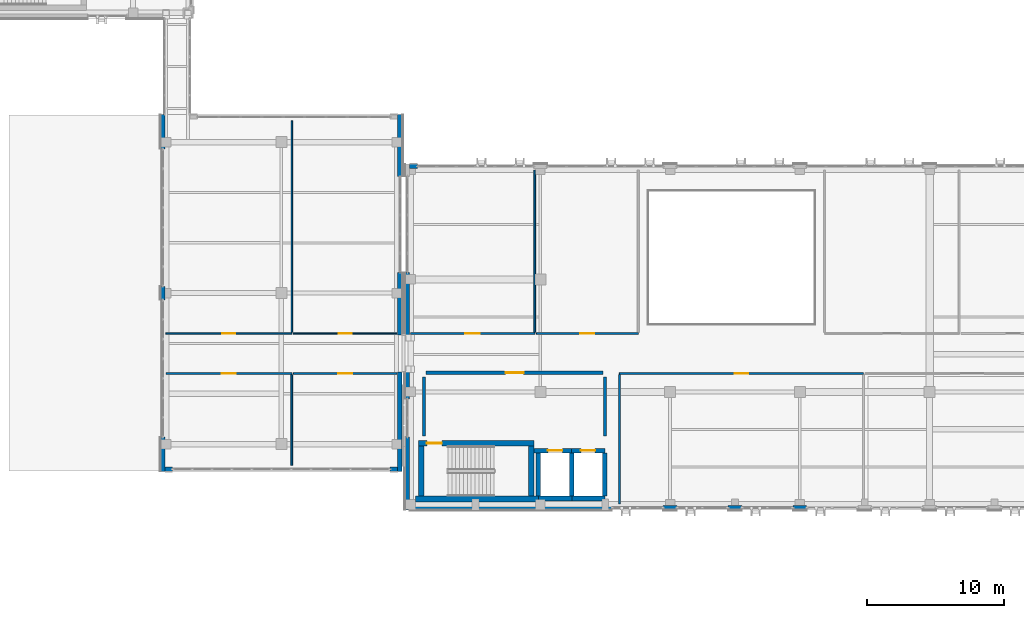
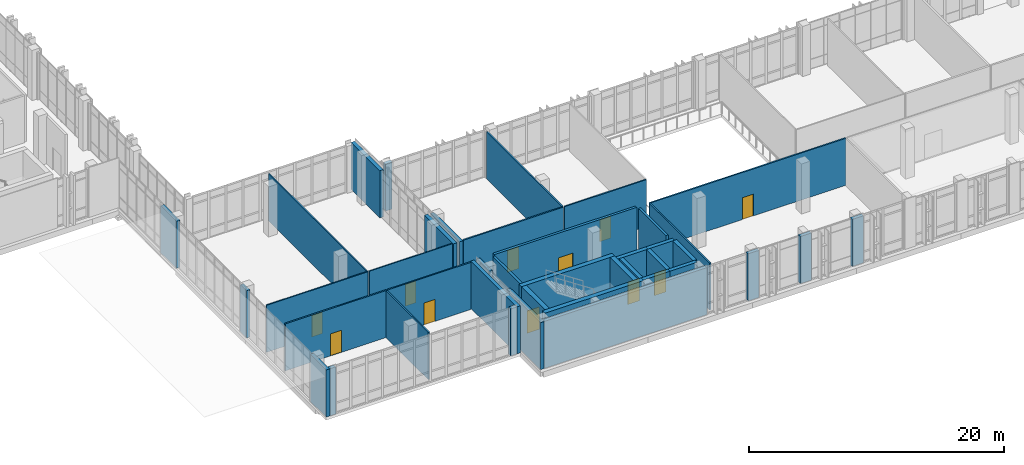
# One storey, part 151 of 189: 41 walls, 11 doors, 11 openings.
"""IFC4 building model written with IfcOpenShell, lengths in metres."""

from ifc_helpers import new_model, si_unit, direction, frame, frame_2d, origin, place, context, subcontext, project, spatial, rectangle, extrude, material, layer, layer_set, type_object, element, fill, save


model = new_model("IFC4")

# Units and contexts
model_context = context("Model", 3, precision=1e-05, world=origin(), true_north=direction((0.0, 1.0)))
body_context = subcontext(model_context, "Body", "Model", "MODEL_VIEW")
ifc_project = project(units=[si_unit("LENGTHUNIT", "METRE"), si_unit("AREAUNIT", "SQUARE_METRE"), si_unit("VOLUMEUNIT", "CUBIC_METRE"), si_unit("PLANEANGLEUNIT", "RADIAN"), si_unit("MASSUNIT", "GRAM", prefix="KILO")], contexts=[model_context])

# Site, building, storey
site_placement = place(None, origin())
site = spatial("IfcSite", under=ifc_project, at=site_placement, CompositionType="ELEMENT")
building_placement = place(site_placement, origin())
building = spatial("IfcBuilding", under=site, at=building_placement, Name="Qalavern Law Courts", CompositionType="ELEMENT")
storey_placement = place(building_placement, frame((0.0, 0.0, 5.39990234375)))
storey = spatial("IfcBuildingStorey", under=building, at=storey_placement, Name="L01", CompositionType="ELEMENT", Elevation=5.39990234375)

# Walls
ifc_material_1 = material(Name="Concrete C40/50", Category="concrete")
ifc_layer_1 = layer(ifc_material_1, 0.324951171875)
ifc_layer_set_1 = layer_set([ifc_layer_1], Name="Concrete C40/50")
wall_type_1 = type_object("IfcWallType", Name="ENV-EW-325", PredefinedType="SOLIDWALL", material=ifc_layer_set_1)
for number, where, z_axis, x_axis, name in (
    (1, (16.719970703125, 8.16259765625, 0.0), (0.0, 0.0, 1.0), (1.0, 0.0, 0.0), "V1 exterior pier wall L01 south 1"),
    (2, (33.1298828125, 8.16259765625, 0.0), (0.0, 0.0, 1.0), (1.0, 0.0, 0.0), "V1 exterior pier wall L01 south 2"),
):
    element("IfcWall", number, at=place(storey_placement, frame(where, z_axis=z_axis, x_axis=x_axis)), inside=storey, type_object=wall_type_1, Name=name, PredefinedType="SOLIDWALL", context=body_context, shape_type="SweptSolid", body=[
        extrude(rectangle(XDim=0.550048828125, YDim=0.324951171875, at=frame_2d((0.27490234375, 0.0))), origin(), (0.0, 0.0, 1.0), 4.510009765625),
    ])
wall_1_placement = place(storey_placement, frame((33.83740234375, 8.0, 0.0), z_axis=(0.0, 0.0, 1.0), x_axis=(0.0, 1.0, 0.0)))
element("IfcWall", 3, at=wall_1_placement, inside=storey, type_object=wall_type_1, Name="V1 exterior wall L01 east 1", PredefinedType="SOLIDWALL", context=body_context, shape_type="SweptSolid", body=[
    extrude(rectangle(XDim=7.25, YDim=0.324951171875, at=frame_2d((3.625, 0.0))), origin(), (0.0, 0.0, 1.0), 4.510009765625),
])
wall_2_placement = place(storey_placement, frame((33.83740234375, 17.949951171875, 0.0), z_axis=(0.0, 0.0, 1.0), x_axis=(0.0, 1.0, 0.0)))
element("IfcWall", 4, at=wall_2_placement, inside=storey, type_object=wall_type_1, Name="V1 exterior pier wall L01 east 1", PredefinedType="SOLIDWALL", context=body_context, shape_type="SweptSolid", body=[
    extrude(rectangle(XDim=4.550048828125, YDim=0.324951171875, at=frame_2d((2.27490234375, 0.0))), origin(), (0.0, 0.0, 1.0), 4.510009765625),
])
wall_3_placement = place(storey_placement, frame((33.83740234375, 29.5, 0.0), z_axis=(0.0, 0.0, 1.0), x_axis=(0.0, 1.0, 0.0)))
element("IfcWall", 5, at=wall_3_placement, inside=storey, type_object=wall_type_1, Name="V1 exterior pier wall L01 east 2", PredefinedType="SOLIDWALL", context=body_context, shape_type="SweptSolid", body=[
    extrude(rectangle(XDim=4.5, YDim=0.324951171875, at=frame_2d((2.25, 0.0))), origin(), (0.0, 0.0, 1.0), 4.510009765625),
])
wall_4_placement = place(storey_placement, frame((16.5625, 34.0, 0.0), z_axis=(0.0, 0.0, 1.0), x_axis=(0.0, -1.0, 0.0)))
element("IfcWall", 6, at=wall_4_placement, inside=storey, type_object=wall_type_1, Name="V1 exterior pier wall L01 west 1", PredefinedType="SOLIDWALL", context=body_context, shape_type="SweptSolid", body=[
    extrude(rectangle(XDim=2.5, YDim=0.324951171875, at=frame_2d((1.25, 0.0))), origin(), (0.0, 0.0, 1.0), 4.510009765625),
])
wall_5_placement = place(storey_placement, frame((16.5625, 21.5, 0.0), z_axis=(0.0, 0.0, 1.0), x_axis=(0.0, -1.0, 0.0)))
element("IfcWall", 7, at=wall_5_placement, inside=storey, type_object=wall_type_1, Name="V1 exterior pier wall L01 west 2", PredefinedType="SOLIDWALL", context=body_context, shape_type="SweptSolid", body=[
    extrude(rectangle(XDim=1.0, YDim=0.324951171875, at=frame_2d((0.5, 0.0))), origin(), (0.0, 0.0, 1.0), 4.510009765625),
])
wall_6_placement = place(storey_placement, frame((16.5625, 10.5, 0.0), z_axis=(0.0, 0.0, 1.0), x_axis=(0.0, -1.0, 0.0)))
element("IfcWall", 8, at=wall_6_placement, inside=storey, type_object=wall_type_1, Name="V1 exterior pier wall L01 west 3", PredefinedType="SOLIDWALL", context=body_context, shape_type="SweptSolid", body=[
    extrude(rectangle(XDim=2.5, YDim=0.324951171875, at=frame_2d((1.25, 0.0))), origin(), (0.0, 0.0, 1.0), 4.510009765625),
])
wall_7_placement = place(storey_placement, frame((34.5400390625, 5.362548828125, 0.0), z_axis=(0.0, 0.0, 1.0), x_axis=(1.0, 0.0, 0.0)))
element("IfcWall", 9, at=wall_7_placement, inside=storey, type_object=wall_type_1, Name="V2 exterior pier wall L01 south 1", PredefinedType="SOLIDWALL", context=body_context, shape_type="SweptSolid", body=[
    extrude(rectangle(XDim=14.760986328125, YDim=0.324951171875, at=frame_2d((7.38037109375, 0.0))), origin(), (0.0, 0.0, 1.0), 4.510009765625),
])
for number, where, z_axis, x_axis, name in (
    (10, (53.028564453125, 5.362548828125, 0.0), (0.0, 0.0, 1.0), (1.0, 0.0, 0.0), "V2 exterior pier wall L01 south 2"),
    (11, (57.756103515625, 5.362548828125, 0.0), (0.0, 0.0, 1.0), (1.0, 0.0, 0.0), "V2 exterior pier wall L01 south 3"),
    (12, (62.48291015625, 5.362548828125, 0.0), (0.0, 0.0, 1.0), (1.0, 0.0, 0.0), "V2 exterior pier wall L01 south 4"),
):
    element("IfcWall", number, at=place(storey_placement, frame(where, z_axis=z_axis, x_axis=x_axis)), inside=storey, type_object=wall_type_1, Name=name, PredefinedType="SOLIDWALL", context=body_context, shape_type="SweptSolid", body=[
        extrude(rectangle(XDim=1.0, YDim=0.324951171875, at=frame_2d((0.5, 0.0))), origin(), (0.0, 0.0, 1.0), 4.510009765625),
    ])
wall_8_placement = place(storey_placement, frame((35.1201171875, 30.237548828125, 0.0), z_axis=(0.0, 0.0, 1.0), x_axis=(-1.0, 0.0, 0.0)))
element("IfcWall", 13, at=wall_8_placement, inside=storey, type_object=wall_type_1, Name="V2 exterior pier wall L01 north 7", PredefinedType="SOLIDWALL", context=body_context, shape_type="SweptSolid", body=[
    extrude(rectangle(XDim=0.580078125, YDim=0.324951171875, at=frame_2d((0.2900390625, 0.0))), origin(), (0.0, 0.0, 1.0), 4.510009765625),
])
wall_9_placement = place(storey_placement, frame((34.382568359375, 22.5, 0.0), z_axis=(0.0, 0.0, 1.0), x_axis=(0.0, -1.0, 0.0)))
element("IfcWall", 14, at=wall_9_placement, inside=storey, type_object=wall_type_1, Name="V2 exterior pier wall L01 west 2", PredefinedType="SOLIDWALL", context=body_context, shape_type="SweptSolid", body=[
    extrude(rectangle(XDim=4.550048828125, YDim=0.324951171875, at=frame_2d((2.27490234375, 0.0))), origin(), (0.0, 0.0, 1.0), 4.510009765625),
])
wall_10_placement = place(storey_placement, frame((34.382568359375, 15.25, 0.0), z_axis=(0.0, 0.0, 1.0), x_axis=(0.0, -1.0, 0.0)))
element("IfcWall", 15, at=wall_10_placement, inside=storey, type_object=wall_type_1, Name="V2 exterior pier wall L01 west 1", PredefinedType="SOLIDWALL", context=body_context, shape_type="SweptSolid", body=[
    extrude(rectangle(XDim=1.949951171875, YDim=0.324951171875, at=frame_2d((0.97509765625, 0.0))), origin(), (0.0, 0.0, 1.0), 4.510009765625),
])
wall_11_placement = place(storey_placement, frame((34.382568359375, 10.5, 0.0), z_axis=(0.0, 0.0, 1.0), x_axis=(0.0, -1.0, 0.0)))
element("IfcWall", 16, at=wall_11_placement, inside=storey, type_object=wall_type_1, Name="V2 exterior pier wall L01 west 2", PredefinedType="SOLIDWALL", context=body_context, shape_type="SweptSolid", body=[
    extrude(rectangle(XDim=5.300048828125, YDim=0.324951171875, at=frame_2d((2.64990234375, 0.0))), origin(), (0.0, 0.0, 1.0), 4.510009765625),
])
ifc_material_2 = material(Name="Concrete C45/55", Category="concrete")
ifc_layer_2 = layer(ifc_material_2, 0.4150390625)
ifc_layer_set_2 = layer_set([ifc_layer_2], Name="Concrete C45/55")
wall_type_2 = type_object("IfcWallType", Name="INT-CW-415", PredefinedType="SHEAR", material=ifc_layer_set_2)
wall_12_placement = place(storey_placement, frame((34.972900390625, 5.992431640625, 0.0), z_axis=(0.0, 0.0, 1.0), x_axis=(1.0, 0.0, 0.0)))
element("IfcWall", 17, at=wall_12_placement, inside=storey, type_object=wall_type_2, Name="Core K4 stair shear wall L01 south", PredefinedType="SHEAR", context=body_context, shape_type="SweptSolid", body=[
    extrude(rectangle(XDim=8.95166015625, YDim=0.4150390625, at=frame_2d((4.475830078125, 0.0))), origin(), (0.0, 0.0, 1.0), 4.800048828125),
])
wall_13_placement = place(storey_placement, frame((43.407470703125, 6.199951171875, 0.0), z_axis=(0.0, 0.0, 1.0), x_axis=(0.0, 1.0, 0.0)))
element("IfcWall", 18, at=wall_13_placement, inside=storey, type_object=wall_type_2, Name="Core K4 stair shear wall L01 east", PredefinedType="SHEAR", context=body_context, shape_type="SweptSolid", body=[
    extrude(rectangle(XDim=3.650146484375, YDim=0.4150390625, at=frame_2d((1.8251953125, 0.0))), origin(), (0.0, 0.0, 1.0), 4.800048828125),
])

# Wall, opening, door
wall_14_placement = place(storey_placement, frame((43.614990234375, 10.0576171875, 0.0), z_axis=(0.0, 0.0, 1.0), x_axis=(-1.0, 0.0, 0.0)))
wall_14 = element("IfcWall", 19, at=wall_14_placement, inside=storey, type_object=wall_type_2, Name="Core K4 stair shear wall L01 north", PredefinedType="SHEAR", context=body_context, shape_type="SweptSolid", body=[
    extrude(rectangle(XDim=8.429931640625, YDim=0.4150390625, at=frame_2d((4.21484375, 0.0))), origin(), (0.0, 0.0, 1.0), 4.800048828125),
])
opening_1_placement = place(wall_14_placement, frame((6.715087890625, 0.0, 0.0)))
opening_1 = element("IfcOpeningElement", 20, at=opening_1_placement, cuts=wall_14, Name="Opening L01-D093", PredefinedType="OPENING", context=body_context, shape_type="SweptSolid", body=[
    extrude(rectangle(XDim=1.10009765625, YDim=2.14990234375, at=frame_2d((0.550048828125, 1.074951171875))), frame((0.0, 0.222412109375, 0.0), z_axis=(0.0, -1.0, 0.0), x_axis=(1.0, 0.0, 0.0)), (0.0, 0.0, 1.0), 0.44482421875),
])
ifc_material_3 = material(Name="Steel fire-rated stair enclosure door", Category="steel")
door_type_1 = type_object("IfcDoorType", Name="INT-FD-1100x2150", OperationType="NOTDEFINED", PredefinedType="DOOR", material=ifc_material_3)
door_1_placement = place(opening_1_placement, frame((1.10009765625, 0.0, 0.0), z_axis=(0.0, 0.0, 1.0), x_axis=(-1.0, 0.0, 0.0)))
door_1 = element("IfcDoor", 21, at=door_1_placement, inside=storey, type_object=door_type_1, Name="Stair K4 fire door L01", OperationType="SINGLE_SWING_LEFT", OverallHeight=2.14990234375, OverallWidth=1.10009765625, PredefinedType="DOOR", context=body_context, shape_type="SweptSolid", body=[
    extrude(rectangle(XDim=1.10009765625, YDim=2.14990234375, at=frame_2d((0.550048828125, 1.074951171875))), frame((0.0, 0.02490234375, 0.0), z_axis=(0.0, -1.0, 0.0), x_axis=(1.0, 0.0, 0.0)), (0.0, 0.0, 1.0), 0.050048828125),
])
fill(opening_1, door_1)

# Wall
wall_15_placement = place(storey_placement, frame((35.392578125, 9.85009765625, 0.0), z_axis=(0.0, 0.0, 1.0), x_axis=(0.0, -1.0, 0.0)))
element("IfcWall", 22, at=wall_15_placement, inside=storey, type_object=wall_type_2, Name="Core K4 stair shear wall L01 west", PredefinedType="SHEAR", context=body_context, shape_type="SweptSolid", body=[
    extrude(rectangle(XDim=3.650146484375, YDim=0.4150390625, at=frame_2d((1.8251953125, 0.0))), origin(), (0.0, 0.0, 1.0), 4.800048828125),
])

# Wall, opening, door
ifc_layer_3 = layer(ifc_material_1, 0.22509765625)
ifc_layer_set_3 = layer_set([ifc_layer_3], Name="Concrete C40/50")
wall_type_3 = type_object("IfcWallType", Name="INT-FW-225", PredefinedType="PARTITIONING", material=ifc_layer_set_3)
wall_16_placement = place(storey_placement, frame((35.75, 15.199951171875, 0.0), z_axis=(0.0, 0.0, 1.0), x_axis=(1.0, 0.0, 0.0)))
wall_16 = element("IfcWall", 23, at=wall_16_placement, inside=storey, type_object=wall_type_3, Name="Core K4 firefighting/stair lobby fire wall L01", PredefinedType="PARTITIONING", context=body_context, shape_type="SweptSolid", body=[
    extrude(rectangle(XDim=12.89990234375, YDim=0.22509765625, at=frame_2d((6.449951171875, 0.0))), origin(), (0.0, 0.0, 1.0), 4.510009765625),
])
opening_2_placement = place(wall_16_placement, frame((5.800048828125, 0.0, 0.0)))
opening_2 = element("IfcOpeningElement", 24, at=opening_2_placement, cuts=wall_16, Name="Opening L01-D094", PredefinedType="OPENING", context=body_context, shape_type="SweptSolid", body=[
    extrude(rectangle(XDim=1.300048828125, YDim=2.14990234375, at=frame_2d((0.64990234375, 1.074951171875))), frame((0.0, 0.12744140625, 0.0), z_axis=(0.0, -1.0, 0.0), x_axis=(1.0, 0.0, 0.0)), (0.0, 0.0, 1.0), 0.2548828125),
])
ifc_material_4 = material(Name="Steel fire-rated frame and acoustic timber leaves", Category="steel")
door_type_2 = type_object("IfcDoorType", Name="INT-FD-1300x2150", OperationType="DOUBLE_DOOR_SINGLE_SWING", PredefinedType="DOOR", material=ifc_material_4)
door_2_placement = place(opening_2_placement, origin())
door_2 = element("IfcDoor", 25, at=door_2_placement, inside=storey, type_object=door_type_2, Name="Core K4 lobby fire door L01", OperationType="DOUBLE_DOOR_SINGLE_SWING", OverallHeight=2.14990234375, OverallWidth=1.300048828125, PredefinedType="DOOR", context=body_context, shape_type="SweptSolid", body=[
    extrude(rectangle(XDim=1.300048828125, YDim=2.14990234375, at=frame_2d((0.64990234375, 1.074951171875))), frame((0.0, 0.02490234375, 0.0), z_axis=(0.0, -1.0, 0.0), x_axis=(1.0, 0.0, 0.0)), (0.0, 0.0, 1.0), 0.050048828125),
])
fill(opening_2, door_2)

# Walls
for number, where, z_axis, x_axis, name in (
    (26, (35.60009765625, 10.60009765625, 0.0), (0.0, 0.0, 1.0), (0.0, 1.0, 0.0), "Core K4 lobby return wall L01 west"),
    (27, (48.800048828125, 10.60009765625, 0.0), (0.0, 0.0, 1.0), (0.0, 1.0, 0.0), "Core K4 lobby return wall L01 east"),
):
    element("IfcWall", number, at=place(storey_placement, frame(where, z_axis=z_axis, x_axis=x_axis)), inside=storey, type_object=wall_type_3, Name=name, PredefinedType="PARTITIONING", context=body_context, shape_type="SweptSolid", body=[
        extrude(rectangle(XDim=4.2998046875, YDim=0.22509765625, at=frame_2d((2.14990234375, 0.0))), origin(), (0.0, 0.0, 1.0), 4.510009765625),
    ])

# Wall, opening, door
ifc_material_5 = material(Name="Gypsum sanitary partition")
ifc_layer_4 = layer(ifc_material_5, 0.10205078125)
ifc_layer_set_4 = layer_set([ifc_layer_4], Name="Gypsum sanitary partition")
wall_type_4 = type_object("IfcWallType", Name="INT-PW-102", PredefinedType="PARTITIONING", material=ifc_layer_set_4)
wall_17_placement = place(storey_placement, frame((26.0849609375, 18.06005859375, 0.0), z_axis=(0.0, 0.0, 1.0), x_axis=(1.0, 0.0, 0.0)))
wall_17 = element("IfcWall", 28, at=wall_17_placement, inside=storey, type_object=wall_type_4, Name="Public Waiting Concourse corridor partition L01", PredefinedType="PARTITIONING", context=body_context, shape_type="SweptSolid", body=[
    extrude(rectangle(XDim=7.53515625, YDim=0.10205078125, at=frame_2d((3.767578125, 0.0))), origin(), (0.0, 0.0, 1.0), 4.510009765625),
])
opening_3_placement = place(wall_17_placement, frame((3.28759765625, 0.0, 0.0)))
opening_3 = element("IfcOpeningElement", 29, at=opening_3_placement, cuts=wall_17, Name="Opening L01-D126", PredefinedType="OPENING", context=body_context, shape_type="SweptSolid", body=[
    extrude(rectangle(XDim=0.9599609375, YDim=2.080078125, at=frame_2d((0.47998046875, 1.0400390625))), frame((0.0, 0.06591796875, 0.0), z_axis=(0.0, -1.0, 0.0), x_axis=(1.0, 0.0, 0.0)), (0.0, 0.0, 1.0), 0.1318359375),
])
ifc_material_6 = material(Name="Timber Counsel Consultation door", Category="wood")
door_type_3 = type_object("IfcDoorType", Name="INT-ID-960x2080", OperationType="NOTDEFINED", PredefinedType="DOOR", material=ifc_material_6)
door_3_placement = place(opening_3_placement, origin())
door_3 = element("IfcDoor", 30, at=door_3_placement, inside=storey, type_object=door_type_3, Name="Public Waiting Concourse door L01", OperationType="SINGLE_SWING_LEFT", OverallHeight=2.080078125, OverallWidth=0.9599609375, PredefinedType="DOOR", context=body_context, shape_type="SweptSolid", body=[
    extrude(rectangle(XDim=0.9599609375, YDim=2.080078125, at=frame_2d((0.47998046875, 1.0400390625))), frame((0.0, 0.02490234375, 0.0), z_axis=(0.0, -1.0, 0.0), x_axis=(1.0, 0.0, 0.0)), (0.0, 0.0, 1.0), 0.050048828125),
])
fill(opening_3, door_3)

ifc_material_7 = material(Name="Gypsum stud partition")
ifc_layer_5 = layer(ifc_material_7, 0.112060546875)
ifc_layer_set_5 = layer_set([ifc_layer_5], Name="Gypsum stud partition")
wall_type_5 = type_object("IfcWallType", Name="INT-PW-112", PredefinedType="PARTITIONING", material=ifc_layer_set_5)
wall_18_placement = place(storey_placement, frame((16.780029296875, 18.06005859375, 0.0), z_axis=(0.0, 0.0, 1.0), x_axis=(1.0, 0.0, 0.0)))
wall_18 = element("IfcWall", 31, at=wall_18_placement, inside=storey, type_object=wall_type_5, Name="Public WC corridor partition L01", PredefinedType="PARTITIONING", context=body_context, shape_type="SweptSolid", body=[
    extrude(rectangle(XDim=9.18505859375, YDim=0.112060546875, at=frame_2d((4.592529296875, 0.0))), origin(), (0.0, 0.0, 1.0), 4.510009765625),
])
opening_4_placement = place(wall_18_placement, frame((4.12255859375, 0.0, 0.0)))
opening_4 = element("IfcOpeningElement", 32, at=opening_4_placement, cuts=wall_18, Name="Opening L01-D125", PredefinedType="OPENING", context=body_context, shape_type="SweptSolid", body=[
    extrude(rectangle(XDim=0.93994140625, YDim=2.070068359375, at=frame_2d((0.469970703125, 1.03515625))), frame((0.0, 0.07080078125, 0.0), z_axis=(0.0, -1.0, 0.0), x_axis=(1.0, 0.0, 0.0)), (0.0, 0.0, 1.0), 0.141845703125),
])
ifc_material_8 = material(Name="Accessible WC outward-clear door")
door_type_4 = type_object("IfcDoorType", Name="INT-ID-940x2070", OperationType="NOTDEFINED", PredefinedType="DOOR", material=ifc_material_8)
door_4_placement = place(opening_4_placement, origin())
door_4 = element("IfcDoor", 33, at=door_4_placement, inside=storey, type_object=door_type_4, Name="Public WC door L01", OperationType="SINGLE_SWING_RIGHT", OverallHeight=2.070068359375, OverallWidth=0.93994140625, PredefinedType="DOOR", context=body_context, shape_type="SweptSolid", body=[
    extrude(rectangle(XDim=0.93994140625, YDim=2.070068359375, at=frame_2d((0.469970703125, 1.03515625))), frame((0.0, 0.02490234375, 0.0), z_axis=(0.0, -1.0, 0.0), x_axis=(1.0, 0.0, 0.0)), (0.0, 0.0, 1.0), 0.050048828125),
])
fill(opening_4, door_4)

# Wall
wall_19_placement = place(storey_placement, frame((25.965087890625, 18.135986328125, 0.0), z_axis=(0.0, 0.0, 1.0), x_axis=(0.0, 1.0, 0.0)))
element("IfcWall", 34, at=wall_19_placement, inside=storey, type_object=wall_type_5, Name="Public WC cross partition L01 east", PredefinedType="PARTITIONING", context=body_context, shape_type="SweptSolid", body=[
    extrude(rectangle(XDim=15.424072265625, YDim=0.112060546875, at=frame_2d((7.7119140625, 0.0))), origin(), (0.0, 0.0, 1.0), 4.510009765625),
])

# Wall, opening, door
ifc_layer_6 = layer(ifc_material_7, 0.1220703125)
ifc_layer_set_6 = layer_set([ifc_layer_6], Name="Gypsum stud partition")
wall_type_6 = type_object("IfcWallType", Name="INT-PW-122", PredefinedType="PARTITIONING", material=ifc_layer_set_6)
wall_20_placement = place(storey_placement, frame((26.0849609375, 15.139892578125, 0.0), z_axis=(0.0, 0.0, 1.0), x_axis=(1.0, 0.0, 0.0)))
wall_20 = element("IfcWall", 35, at=wall_20_placement, inside=storey, type_object=wall_type_6, Name="Citizen Legal Information Desk corridor partition L01", PredefinedType="PARTITIONING", context=body_context, shape_type="SweptSolid", body=[
    extrude(rectangle(XDim=7.53515625, YDim=0.1220703125, at=frame_2d((3.767578125, 0.0))), origin(), (0.0, 0.0, 1.0), 4.510009765625),
])
opening_5_placement = place(wall_20_placement, frame((3.267578125, 0.0, 0.0)))
opening_5 = element("IfcOpeningElement", 36, at=opening_5_placement, cuts=wall_20, Name="Opening L01-D124", PredefinedType="OPENING", context=body_context, shape_type="SweptSolid", body=[
    extrude(rectangle(XDim=1.0, YDim=2.10009765625, at=frame_2d((0.5, 1.050048828125))), frame((0.0, 0.075927734375, 0.0), z_axis=(0.0, -1.0, 0.0), x_axis=(1.0, 0.0, 0.0)), (0.0, 0.0, 1.0), 0.15185546875),
])
ifc_material_9 = material(Name="Timber Judicial Clerks' Office door", Category="wood")
door_type_5 = type_object("IfcDoorType", Name="INT-ID-1000x2100", OperationType="NOTDEFINED", PredefinedType="DOOR", material=ifc_material_9)
door_5_placement = place(opening_5_placement, frame((1.0, 0.0, 0.0), z_axis=(0.0, 0.0, 1.0), x_axis=(-1.0, 0.0, 0.0)))
door_5 = element("IfcDoor", 37, at=door_5_placement, inside=storey, type_object=door_type_5, Name="Citizen Legal Information Desk door L01", OperationType="SINGLE_SWING_LEFT", OverallHeight=2.10009765625, OverallWidth=1.0, PredefinedType="DOOR", context=body_context, shape_type="SweptSolid", body=[
    extrude(rectangle(XDim=1.0, YDim=2.10009765625, at=frame_2d((0.5, 1.050048828125))), frame((0.0, 0.02490234375, 0.0), z_axis=(0.0, -1.0, 0.0), x_axis=(1.0, 0.0, 0.0)), (0.0, 0.0, 1.0), 0.050048828125),
])
fill(opening_5, door_5)

wall_21_placement = place(storey_placement, frame((43.7900390625, 18.06005859375, 0.0), z_axis=(0.0, 0.0, 1.0), x_axis=(1.0, 0.0, 0.0)))
wall_21 = element("IfcWall", 38, at=wall_21_placement, inside=storey, type_object=wall_type_6, Name="Witness Waiting Room corridor partition L01", PredefinedType="PARTITIONING", context=body_context, shape_type="SweptSolid", body=[
    extrude(rectangle(XDim=7.419921875, YDim=0.1220703125, at=frame_2d((3.7099609375, 0.0))), origin(), (0.0, 0.0, 1.0), 4.510009765625),
])
opening_6_placement = place(wall_21_placement, frame((3.2099609375, 0.0, 0.0)))
opening_6 = element("IfcOpeningElement", 39, at=opening_6_placement, cuts=wall_21, Name="Opening L01-D169", PredefinedType="OPENING", context=body_context, shape_type="SweptSolid", body=[
    extrude(rectangle(XDim=1.0, YDim=2.10009765625, at=frame_2d((0.5, 1.050048828125))), frame((0.0, 0.075927734375, 0.0), z_axis=(0.0, -1.0, 0.0), x_axis=(1.0, 0.0, 0.0)), (0.0, 0.0, 1.0), 0.15185546875),
])
door_6_placement = place(opening_6_placement, origin())
door_6 = element("IfcDoor", 40, at=door_6_placement, inside=storey, type_object=door_type_5, Name="Witness Waiting Room door L01", OperationType="SINGLE_SWING_LEFT", OverallHeight=2.10009765625, OverallWidth=1.0, PredefinedType="DOOR", context=body_context, shape_type="SweptSolid", body=[
    extrude(rectangle(XDim=1.0, YDim=2.10009765625, at=frame_2d((0.5, 1.050048828125))), frame((0.0, 0.02490234375, 0.0), z_axis=(0.0, -1.0, 0.0), x_axis=(1.0, 0.0, 0.0)), (0.0, 0.0, 1.0), 0.050048828125),
])
fill(opening_6, door_6)

ifc_layer_7 = layer(ifc_material_7, 0.132080078125)
ifc_layer_set_7 = layer_set([ifc_layer_7], Name="Gypsum stud partition")
wall_type_7 = type_object("IfcWallType", Name="INT-PW-132", PredefinedType="PARTITIONING", material=ifc_layer_set_7)
wall_22_placement = place(storey_placement, frame((16.780029296875, 15.139892578125, 0.0), z_axis=(0.0, 0.0, 1.0), x_axis=(1.0, 0.0, 0.0)))
wall_22 = element("IfcWall", 41, at=wall_22_placement, inside=storey, type_object=wall_type_7, Name="Public Waiting Concourse corridor partition L01", PredefinedType="PARTITIONING", context=body_context, shape_type="SweptSolid", body=[
    extrude(rectangle(XDim=9.18505859375, YDim=0.132080078125, at=frame_2d((4.592529296875, 0.0))), origin(), (0.0, 0.0, 1.0), 4.510009765625),
])
opening_7_placement = place(wall_22_placement, frame((4.077392578125, 0.0, 0.0)))
opening_7 = element("IfcOpeningElement", 42, at=opening_7_placement, cuts=wall_22, Name="Opening L01-D123", PredefinedType="OPENING", context=body_context, shape_type="SweptSolid", body=[
    extrude(rectangle(XDim=1.030029296875, YDim=2.110107421875, at=frame_2d((0.51513671875, 1.05517578125))), frame((0.0, 0.0810546875, 0.0), z_axis=(0.0, -1.0, 0.0), x_axis=(1.0, 0.0, 0.0)), (0.0, 0.0, 1.0), 0.161865234375),
])
ifc_material_10 = material(Name="Oak Mediation Suite door")
door_type_6 = type_object("IfcDoorType", Name="INT-ID-1030x2110", OperationType="NOTDEFINED", PredefinedType="DOOR", material=ifc_material_10)
door_7_placement = place(opening_7_placement, frame((1.030029296875, 0.0, 0.0), z_axis=(0.0, 0.0, 1.0), x_axis=(-1.0, 0.0, 0.0)))
door_7 = element("IfcDoor", 43, at=door_7_placement, inside=storey, type_object=door_type_6, Name="Public Waiting Concourse door L01", OperationType="SINGLE_SWING_RIGHT", OverallHeight=2.110107421875, OverallWidth=1.030029296875, PredefinedType="DOOR", context=body_context, shape_type="SweptSolid", body=[
    extrude(rectangle(XDim=1.030029296875, YDim=2.110107421875, at=frame_2d((0.51513671875, 1.05517578125))), frame((0.0, 0.02490234375, 0.0), z_axis=(0.0, -1.0, 0.0), x_axis=(1.0, 0.0, 0.0)), (0.0, 0.0, 1.0), 0.050048828125),
])
fill(opening_7, door_7)

# Wall
wall_23_placement = place(storey_placement, frame((25.965087890625, 8.43994140625, 0.0), z_axis=(0.0, 0.0, 1.0), x_axis=(0.0, 1.0, 0.0)))
element("IfcWall", 44, at=wall_23_placement, inside=storey, type_object=wall_type_7, Name="Public Waiting Concourse cross partition L01 east", PredefinedType="PARTITIONING", context=body_context, shape_type="SweptSolid", body=[
    extrude(rectangle(XDim=6.614013671875, YDim=0.132080078125, at=frame_2d((3.30712890625, 0.0))), origin(), (0.0, 0.0, 1.0), 4.510009765625),
])

# Wall, opening, door
wall_24_placement = place(storey_placement, frame((49.840087890625, 15.139892578125, 0.0), z_axis=(0.0, 0.0, 1.0), x_axis=(1.0, 0.0, 0.0)))
wall_24 = element("IfcWall", 45, at=wall_24_placement, inside=storey, type_object=wall_type_7, Name="Public Waiting Concourse corridor partition L01", PredefinedType="PARTITIONING", context=body_context, shape_type="SweptSolid", body=[
    extrude(rectangle(XDim=17.77783203125, YDim=0.132080078125, at=frame_2d((8.888916015625, 0.0))), origin(), (0.0, 0.0, 1.0), 4.510009765625),
])
opening_8_placement = place(wall_24_placement, frame((8.39892578125, 0.0, 0.0)))
opening_8 = element("IfcOpeningElement", 46, at=opening_8_placement, cuts=wall_24, Name="Opening L01-D161", PredefinedType="OPENING", context=body_context, shape_type="SweptSolid", body=[
    extrude(rectangle(XDim=0.97998046875, YDim=2.090087890625, at=frame_2d((0.489990234375, 1.044921875))), frame((0.0, 0.0810546875, 0.0), z_axis=(0.0, -1.0, 0.0), x_axis=(1.0, 0.0, 0.0)), (0.0, 0.0, 1.0), 0.161865234375),
])
ifc_material_11 = material(Name="Timber Legal Research Office door", Category="wood")
door_type_7 = type_object("IfcDoorType", Name="INT-ID-980x2090", OperationType="NOTDEFINED", PredefinedType="DOOR", material=ifc_material_11)
door_8_placement = place(opening_8_placement, frame((0.97998046875, 0.0, 0.0), z_axis=(0.0, 0.0, 1.0), x_axis=(-1.0, 0.0, 0.0)))
door_8 = element("IfcDoor", 47, at=door_8_placement, inside=storey, type_object=door_type_7, Name="Public Waiting Concourse door L01", OperationType="SINGLE_SWING_LEFT", OverallHeight=2.090087890625, OverallWidth=0.97998046875, PredefinedType="DOOR", context=body_context, shape_type="SweptSolid", body=[
    extrude(rectangle(XDim=0.97998046875, YDim=2.090087890625, at=frame_2d((0.489990234375, 1.044921875))), frame((0.0, 0.02490234375, 0.0), z_axis=(0.0, -1.0, 0.0), x_axis=(1.0, 0.0, 0.0)), (0.0, 0.0, 1.0), 0.050048828125),
])
fill(opening_8, door_8)

# Wall
wall_25_placement = place(storey_placement, frame((49.840087890625, 5.639892578125, 0.0), z_axis=(0.0, 0.0, 1.0), x_axis=(0.0, 1.0, 0.0)))
element("IfcWall", 48, at=wall_25_placement, inside=storey, type_object=wall_type_7, Name="Public Waiting Concourse cross partition L01 west", PredefinedType="PARTITIONING", context=body_context, shape_type="SweptSolid", body=[
    extrude(rectangle(XDim=9.4140625, YDim=0.132080078125, at=frame_2d((4.70703125, 0.0))), origin(), (0.0, 0.0, 1.0), 4.510009765625),
])

# Wall, opening, door
wall_26_placement = place(storey_placement, frame((34.60009765625, 18.06005859375, 0.0), z_axis=(0.0, 0.0, 1.0), x_axis=(1.0, 0.0, 0.0)))
wall_26 = element("IfcWall", 49, at=wall_26_placement, inside=storey, type_object=wall_type_7, Name="Case Filing Registry corridor partition L01", PredefinedType="PARTITIONING", context=body_context, shape_type="SweptSolid", body=[
    extrude(rectangle(XDim=9.06982421875, YDim=0.132080078125, at=frame_2d((4.534912109375, 0.0))), origin(), (0.0, 0.0, 1.0), 4.510009765625),
])
opening_9_placement = place(wall_26_placement, frame((4.02001953125, 0.0, 0.0)))
opening_9 = element("IfcOpeningElement", 50, at=opening_9_placement, cuts=wall_26, Name="Opening L01-D168", PredefinedType="OPENING", context=body_context, shape_type="SweptSolid", body=[
    extrude(rectangle(XDim=1.030029296875, YDim=2.110107421875, at=frame_2d((0.51513671875, 1.05517578125))), frame((0.0, 0.0810546875, 0.0), z_axis=(0.0, -1.0, 0.0), x_axis=(1.0, 0.0, 0.0)), (0.0, 0.0, 1.0), 0.161865234375),
])
door_9_placement = place(opening_9_placement, origin())
door_9 = element("IfcDoor", 51, at=door_9_placement, inside=storey, type_object=door_type_6, Name="Case Filing Registry door L01", OperationType="SINGLE_SWING_RIGHT", OverallHeight=2.110107421875, OverallWidth=1.030029296875, PredefinedType="DOOR", context=body_context, shape_type="SweptSolid", body=[
    extrude(rectangle(XDim=1.030029296875, YDim=2.110107421875, at=frame_2d((0.51513671875, 1.05517578125))), frame((0.0, 0.02490234375, 0.0), z_axis=(0.0, -1.0, 0.0), x_axis=(1.0, 0.0, 0.0)), (0.0, 0.0, 1.0), 0.050048828125),
])
fill(opening_9, door_9)

# Walls
wall_27_placement = place(storey_placement, frame((43.669921875, 18.14599609375, 0.0), z_axis=(0.0, 0.0, 1.0), x_axis=(0.0, 1.0, 0.0)))
element("IfcWall", 52, at=wall_27_placement, inside=storey, type_object=wall_type_7, Name="Case Filing Registry cross partition L01 east", PredefinedType="PARTITIONING", context=body_context, shape_type="SweptSolid", body=[
    extrude(rectangle(XDim=11.81396484375, YDim=0.132080078125, at=frame_2d((5.906982421875, 0.0))), origin(), (0.0, 0.0, 1.0), 4.510009765625),
])
ifc_layer_8 = layer(ifc_material_2, 0.344970703125)
ifc_layer_set_8 = layer_set([ifc_layer_8], Name="Concrete C45/55")
wall_type_8 = type_object("IfcWallType", Name="INT-SW-345", PredefinedType="SHEAR", material=ifc_layer_set_8)
wall_28_placement = place(storey_placement, frame((43.927490234375, 6.027587890625, 0.0), z_axis=(0.0, 0.0, 1.0), x_axis=(1.0, 0.0, 0.0)))
element("IfcWall", 53, at=wall_28_placement, inside=storey, type_object=wall_type_8, Name="Lift LF-P3 shaft wall L01 south", PredefinedType="SHEAR", context=body_context, shape_type="SweptSolid", body=[
    extrude(rectangle(XDim=2.445068359375, YDim=0.344970703125, at=frame_2d((1.22265625, 0.0))), origin(), (0.0, 0.0, 1.0), 4.800048828125),
])
wall_29_placement = place(storey_placement, frame((46.37255859375, 6.199951171875, 0.0), z_axis=(0.0, 0.0, 1.0), x_axis=(0.0, 1.0, 0.0)))
element("IfcWall", 54, at=wall_29_placement, inside=storey, type_object=wall_type_8, Name="Lift LF-P3 shaft wall L01 east", PredefinedType="SHEAR", context=body_context, shape_type="SweptSolid", body=[
    extrude(rectangle(XDim=3.150146484375, YDim=0.344970703125, at=frame_2d((1.5751953125, 0.0))), origin(), (0.0, 0.0, 1.0), 4.800048828125),
])

# Wall, opening, door
wall_30_placement = place(storey_placement, frame((46.37255859375, 9.5224609375, 0.0), z_axis=(0.0, 0.0, 1.0), x_axis=(-1.0, 0.0, 0.0)))
wall_30 = element("IfcWall", 55, at=wall_30_placement, inside=storey, type_object=wall_type_8, Name="Lift LF-P3 shaft wall L01 north", PredefinedType="SHEAR", context=body_context, shape_type="SweptSolid", body=[
    extrude(rectangle(XDim=2.754638671875, YDim=0.344970703125, at=frame_2d((1.37744140625, 0.0))), origin(), (0.0, 0.0, 1.0), 4.800048828125),
])
opening_10_placement = place(wall_30_placement, frame((0.697509765625, 0.0, 0.0)))
opening_10 = element("IfcOpeningElement", 56, at=opening_10_placement, cuts=wall_30, Name="Opening LD-LF-P3-L01", PredefinedType="OPENING", context=body_context, shape_type="SweptSolid", body=[
    extrude(rectangle(XDim=1.050048828125, YDim=2.14990234375, at=frame_2d((0.52490234375, 1.074951171875))), frame((0.0, 0.1875, 0.0), z_axis=(0.0, -1.0, 0.0), x_axis=(1.0, 0.0, 0.0)), (0.0, 0.0, 1.0), 0.374755859375),
])
ifc_material_12 = material(Name="Brushed stainless steel passenger lift sliding landing door", Category="steel")
door_type_8 = type_object("IfcDoorType", Name="INT-LD-1050x2150", OperationType="DOUBLE_DOOR_SLIDING", PredefinedType="DOOR", material=ifc_material_12)
door_10_placement = place(opening_10_placement, origin())
door_10 = element("IfcDoor", 57, at=door_10_placement, inside=storey, type_object=door_type_8, Name="Lift LF-P3 sliding landing door L01", OperationType="DOUBLE_DOOR_SLIDING", OverallHeight=2.14990234375, OverallWidth=1.050048828125, PredefinedType="DOOR", context=body_context, shape_type="SweptSolid", body=[
    extrude(rectangle(XDim=1.050048828125, YDim=2.14990234375, at=frame_2d((0.52490234375, 1.074951171875))), frame((0.0, 0.02490234375, 0.0), z_axis=(0.0, -1.0, 0.0), x_axis=(1.0, 0.0, 0.0)), (0.0, 0.0, 1.0), 0.050048828125),
])
fill(opening_10, door_10)

# Walls
wall_31_placement = place(storey_placement, frame((43.927490234375, 9.35009765625, 0.0), z_axis=(0.0, 0.0, 1.0), x_axis=(0.0, -1.0, 0.0)))
element("IfcWall", 58, at=wall_31_placement, inside=storey, type_object=wall_type_8, Name="Lift LF-P3 shaft wall L01 west", PredefinedType="SHEAR", context=body_context, shape_type="SweptSolid", body=[
    extrude(rectangle(XDim=3.150146484375, YDim=0.344970703125, at=frame_2d((1.5751953125, 0.0))), origin(), (0.0, 0.0, 1.0), 4.800048828125),
])
wall_32_placement = place(storey_placement, frame((46.327392578125, 6.027587890625, 0.0), z_axis=(0.0, 0.0, 1.0), x_axis=(1.0, 0.0, 0.0)))
element("IfcWall", 59, at=wall_32_placement, inside=storey, type_object=wall_type_8, Name="Lift LF-P4 shaft wall L01 south", PredefinedType="SHEAR", context=body_context, shape_type="SweptSolid", body=[
    extrude(rectangle(XDim=2.445068359375, YDim=0.344970703125, at=frame_2d((1.22265625, 0.0))), origin(), (0.0, 0.0, 1.0), 4.800048828125),
])
wall_33_placement = place(storey_placement, frame((48.7724609375, 6.199951171875, 0.0), z_axis=(0.0, 0.0, 1.0), x_axis=(0.0, 1.0, 0.0)))
element("IfcWall", 60, at=wall_33_placement, inside=storey, type_object=wall_type_8, Name="Lift LF-P4 shaft wall L01 east", PredefinedType="SHEAR", context=body_context, shape_type="SweptSolid", body=[
    extrude(rectangle(XDim=3.150146484375, YDim=0.344970703125, at=frame_2d((1.5751953125, 0.0))), origin(), (0.0, 0.0, 1.0), 4.800048828125),
])

# Wall, opening, door
wall_34_placement = place(storey_placement, frame((48.7724609375, 9.5224609375, 0.0), z_axis=(0.0, 0.0, 1.0), x_axis=(-1.0, 0.0, 0.0)))
wall_34 = element("IfcWall", 61, at=wall_34_placement, inside=storey, type_object=wall_type_8, Name="Lift LF-P4 shaft wall L01 north", PredefinedType="SHEAR", context=body_context, shape_type="SweptSolid", body=[
    extrude(rectangle(XDim=2.445068359375, YDim=0.344970703125, at=frame_2d((1.22265625, 0.0))), origin(), (0.0, 0.0, 1.0), 4.800048828125),
])
opening_11_placement = place(wall_34_placement, frame((0.697509765625, 0.0, 0.0)))
opening_11 = element("IfcOpeningElement", 62, at=opening_11_placement, cuts=wall_34, Name="Opening LD-LF-P4-L01", PredefinedType="OPENING", context=body_context, shape_type="SweptSolid", body=[
    extrude(rectangle(XDim=1.050048828125, YDim=2.14990234375, at=frame_2d((0.52490234375, 1.074951171875))), frame((0.0, 0.1875, 0.0), z_axis=(0.0, -1.0, 0.0), x_axis=(1.0, 0.0, 0.0)), (0.0, 0.0, 1.0), 0.374755859375),
])
door_11_placement = place(opening_11_placement, origin())
door_11 = element("IfcDoor", 63, at=door_11_placement, inside=storey, type_object=door_type_8, Name="Lift LF-P4 sliding landing door L01", OperationType="DOUBLE_DOOR_SLIDING", OverallHeight=2.14990234375, OverallWidth=1.050048828125, PredefinedType="DOOR", context=body_context, shape_type="SweptSolid", body=[
    extrude(rectangle(XDim=1.050048828125, YDim=2.14990234375, at=frame_2d((0.52490234375, 1.074951171875))), frame((0.0, 0.02490234375, 0.0), z_axis=(0.0, -1.0, 0.0), x_axis=(1.0, 0.0, 0.0)), (0.0, 0.0, 1.0), 0.050048828125),
])
fill(opening_11, door_11)

save(model, "model.ifc")
